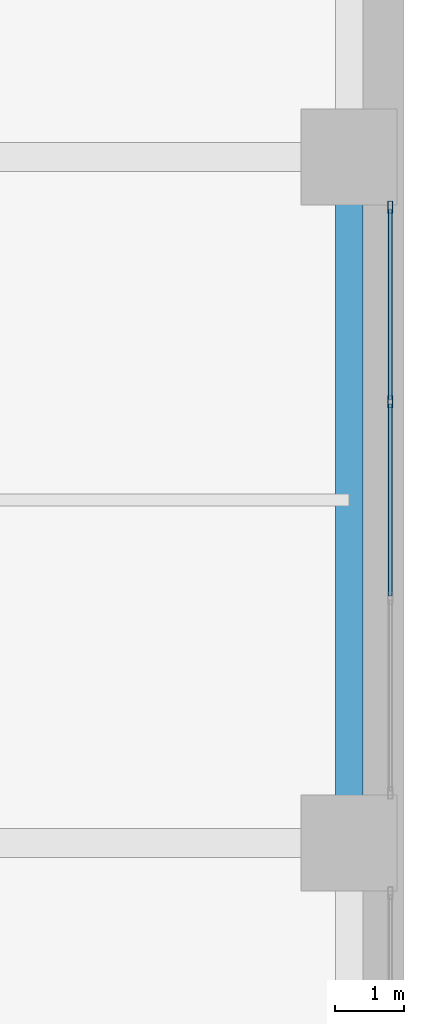
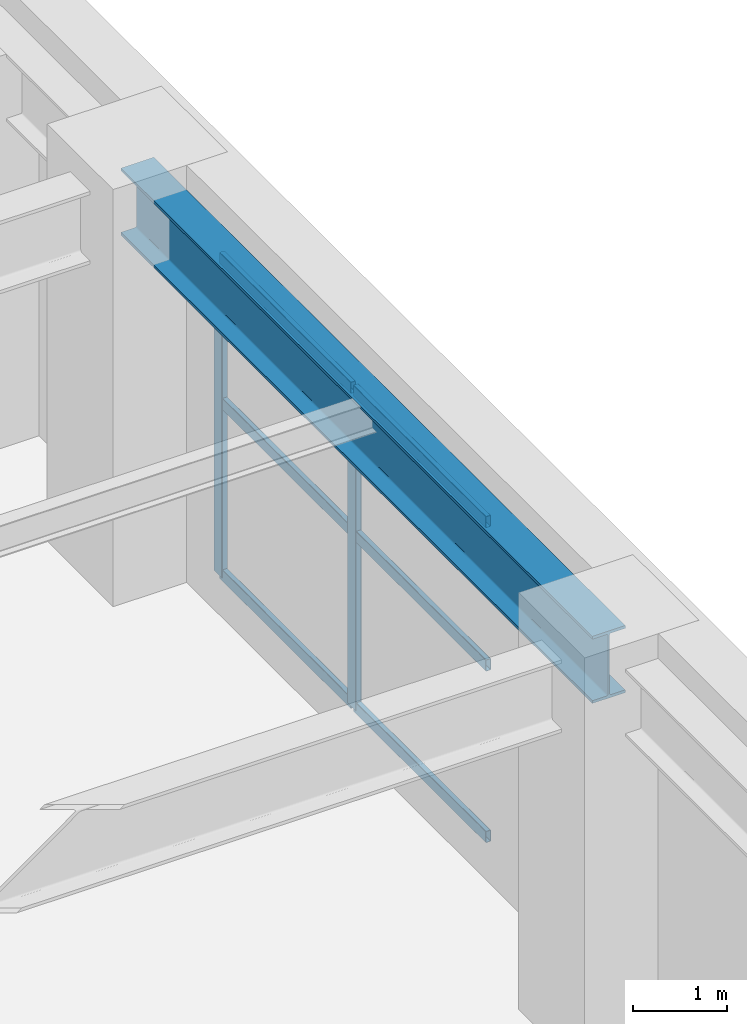
# One storey, part 13 of 25: 8 members, 1 beam, 1 element without a shape of its own.
"""IFC4 building model written with IfcOpenShell, lengths in metres."""

from ifc_helpers import new_model, si_unit, direction, frame, origin, origin_2d, place, context, subcontext, project, spatial, hollow_rectangle, i_section, extrude, material, layer, layer_set, material_profile, profile_set, type_object, element, aggregate, save


model = new_model("IFC4")

# Units and contexts
model_context = context("Model", 3, precision=1e-05, world=origin(), true_north=direction((0.0, 1.0)))
body_context = subcontext(model_context, "Body", "Model", "MODEL_VIEW")
ifc_project = project(units=[si_unit("LENGTHUNIT", "METRE"), si_unit("AREAUNIT", "SQUARE_METRE"), si_unit("VOLUMEUNIT", "CUBIC_METRE"), si_unit("PLANEANGLEUNIT", "RADIAN"), si_unit("MASSUNIT", "GRAM", prefix="KILO")], contexts=[model_context])

# Site, building, storey
site_placement = place(None, origin())
site = spatial("IfcSite", under=ifc_project, at=site_placement, CompositionType="ELEMENT")
building_placement = place(site_placement, origin())
building = spatial("IfcBuilding", under=site, at=building_placement, Name="Soratama Intermodal Tower", CompositionType="ELEMENT")
storey_placement = place(building_placement, frame((0.0, 0.0, -5.39990234375)))
storey = spatial("IfcBuildingStorey", under=building, at=storey_placement, Name="B1", CompositionType="ELEMENT", Elevation=-5.39990234375)

# Beam
ifc_material_1 = material(Name="Structural steel ASTM A992 Grade 50", Category="steel")
ifc_material_profile_1 = material_profile(ifc_material_1, i_section(OverallWidth=0.403076171875, OverallDepth=0.867919921875, WebThickness=0.02099609375, FlangeThickness=0.03564453125, FilletRadius=0.01806640625, at=origin_2d()), Name="W33X241")
ifc_profile_set_1 = profile_set([ifc_material_profile_1], Name="Structural steel ASTM A992 Grade 50")
beam_type = type_object("IfcBeamType", Name="BM-POD-EXT-W33", PredefinedType="BEAM", material=ifc_profile_set_1)
beam_placement = place(storey_placement, frame((83.199951171875, 25.0, 4.64599609375), z_axis=(0.0, 1.0, 0.0), x_axis=(-1.0, 0.0, 0.0)))
element("IfcBeam", 1, at=beam_placement, inside=storey, type_object=beam_type, Name="B1 Station Girder Y4-3", PredefinedType="BEAM", context=body_context, shape_type="SweptSolid", body=[
    extrude(i_section(OverallWidth=0.403076171875, OverallDepth=0.867919921875, WebThickness=0.02099609375, FlangeThickness=0.03564453125, FilletRadius=0.01806640625, at=origin_2d()), origin(), (0.0, 0.0, 1.0), 10.0),
])

# Curtain wall, members
ifc_material_2 = material(Name="Double-glazed aluminium curtain wall", Category="aluminium")
ifc_layer = layer(ifc_material_2, 0.159912109375)
ifc_layer_set = layer_set([ifc_layer], Name="Double-glazed aluminium curtain wall")
curtain_wall_type = type_object("IfcCurtainWallType", Name="CW-SYS-1", PredefinedType="NOTDEFINED", material=ifc_layer_set)
curtain_wall_placement = place(storey_placement, origin())
curtain_wall = element("IfcCurtainWall", 2, at=curtain_wall_placement, inside=storey, type_object=curtain_wall_type, Name="B1 Station Curtain Wall E2", PredefinedType="NOTDEFINED")
ifc_material_3 = material(Name="Anodised aluminium AA 6063-T6", Category="aluminium")
ifc_material_profile_2 = material_profile(ifc_material_3, hollow_rectangle(XDim=0.074951171875, YDim=0.179931640625, WallThickness=0.006103515625, InnerFilletRadius=0.006103515625, OuterFilletRadius=0.011962890625, at=origin_2d()), Name="CWM180X75X6")
ifc_profile_set_2 = profile_set([ifc_material_profile_2], Name="Anodised aluminium AA 6063-T6")
member_type_1 = type_object("IfcMemberType", Name="MT-CWM-1", PredefinedType="MULLION", material=ifc_profile_set_2)
member_1_placement = place(storey_placement, frame((83.800048828125, 31.433349609375, 0.0), z_axis=(0.0, 0.0, 1.0), x_axis=(-1.0, 0.0, 0.0)))
member_1 = element("IfcMember", 3, at=member_1_placement, type_object=member_type_1, Name="CW-1 mullion 3", PredefinedType="MULLION", context=body_context, shape_type="SweptSolid", body=[
    extrude(hollow_rectangle(XDim=0.074951171875, YDim=0.179931640625, WallThickness=0.006103515625, InnerFilletRadius=0.006103515625, OuterFilletRadius=0.011962890625, at=origin_2d()), origin(), (0.0, 0.0, 1.0), 4.135986328125),
])
member_2_placement = place(storey_placement, frame((83.800048828125, 34.27001953125, 0.0), z_axis=(0.0, 0.0, 1.0), x_axis=(-1.0, 0.0, 0.0)))
member_2 = element("IfcMember", 4, at=member_2_placement, type_object=member_type_1, Name="CW-1 mullion 4", PredefinedType="MULLION", context=body_context, shape_type="SweptSolid", body=[
    extrude(hollow_rectangle(XDim=0.074951171875, YDim=0.179931640625, WallThickness=0.006103515625, InnerFilletRadius=0.006103515625, OuterFilletRadius=0.011962890625, at=origin_2d()), origin(), (0.0, 0.0, 1.0), 4.135986328125),
])
ifc_material_4 = material(Name="Anodised aluminium AA 6063-T6", Category="aluminium")
ifc_material_profile_3 = material_profile(ifc_material_4, hollow_rectangle(XDim=0.06494140625, YDim=0.14990234375, WallThickness=0.0048828125, InnerFilletRadius=0.0048828125, OuterFilletRadius=0.010009765625, at=origin_2d()), Name="CWT150X65X5")
ifc_profile_set_3 = profile_set([ifc_material_profile_3], Name="Anodised aluminium AA 6063-T6")
member_type_2 = type_object("IfcMemberType", Name="TT-CWT-1", PredefinedType="USERDEFINED", material=ifc_profile_set_3)
member_3_placement = place(storey_placement, frame((83.800048828125, 28.5966796875, 0.02978515625), z_axis=(0.0, 1.0, 0.0), x_axis=(-1.0, 0.0, 0.0)))
member_3 = element("IfcMember", 5, at=member_3_placement, type_object=member_type_2, Name="CW-1 transom 2.1", ObjectType="TRANSOM", PredefinedType="USERDEFINED", context=body_context, shape_type="SweptSolid", body=[
    extrude(hollow_rectangle(XDim=0.06494140625, YDim=0.14990234375, WallThickness=0.0048828125, InnerFilletRadius=0.0048828125, OuterFilletRadius=0.010009765625, at=origin_2d()), origin(), (0.0, 0.0, 1.0), 2.806640625),
])
member_4_placement = place(storey_placement, frame((83.800048828125, 28.5966796875, 2.25), z_axis=(0.0, 1.0, 0.0), x_axis=(-1.0, 0.0, 0.0)))
member_4 = element("IfcMember", 6, at=member_4_placement, type_object=member_type_2, Name="CW-1 transom 2.2", ObjectType="TRANSOM", PredefinedType="USERDEFINED", context=body_context, shape_type="SweptSolid", body=[
    extrude(hollow_rectangle(XDim=0.06494140625, YDim=0.14990234375, WallThickness=0.0048828125, InnerFilletRadius=0.0048828125, OuterFilletRadius=0.010009765625, at=origin_2d()), origin(), (0.0, 0.0, 1.0), 2.806640625),
])
member_5_placement = place(storey_placement, frame((83.800048828125, 28.5966796875, 4.10595703125), z_axis=(0.0, 1.0, 0.0), x_axis=(-1.0, 0.0, 0.0)))
member_5 = element("IfcMember", 7, at=member_5_placement, type_object=member_type_2, Name="CW-1 transom 2.3", ObjectType="TRANSOM", PredefinedType="USERDEFINED", context=body_context, shape_type="SweptSolid", body=[
    extrude(hollow_rectangle(XDim=0.06494140625, YDim=0.14990234375, WallThickness=0.0048828125, InnerFilletRadius=0.0048828125, OuterFilletRadius=0.010009765625, at=origin_2d()), origin(), (0.0, 0.0, 1.0), 2.806640625),
])
member_6_placement = place(storey_placement, frame((83.800048828125, 31.46337890625, 0.02978515625), z_axis=(0.0, 1.0, 0.0), x_axis=(-1.0, 0.0, 0.0)))
member_6 = element("IfcMember", 8, at=member_6_placement, type_object=member_type_2, Name="CW-1 transom 3.1", ObjectType="TRANSOM", PredefinedType="USERDEFINED", context=body_context, shape_type="SweptSolid", body=[
    extrude(hollow_rectangle(XDim=0.06494140625, YDim=0.14990234375, WallThickness=0.0048828125, InnerFilletRadius=0.0048828125, OuterFilletRadius=0.010009765625, at=origin_2d()), origin(), (0.0, 0.0, 1.0), 2.776611328125),
])
member_7_placement = place(storey_placement, frame((83.800048828125, 31.46337890625, 2.25), z_axis=(0.0, 1.0, 0.0), x_axis=(-1.0, 0.0, 0.0)))
member_7 = element("IfcMember", 9, at=member_7_placement, type_object=member_type_2, Name="CW-1 transom 3.2", ObjectType="TRANSOM", PredefinedType="USERDEFINED", context=body_context, shape_type="SweptSolid", body=[
    extrude(hollow_rectangle(XDim=0.06494140625, YDim=0.14990234375, WallThickness=0.0048828125, InnerFilletRadius=0.0048828125, OuterFilletRadius=0.010009765625, at=origin_2d()), origin(), (0.0, 0.0, 1.0), 2.776611328125),
])
member_8_placement = place(storey_placement, frame((83.800048828125, 31.46337890625, 4.10595703125), z_axis=(0.0, 1.0, 0.0), x_axis=(-1.0, 0.0, 0.0)))
member_8 = element("IfcMember", 10, at=member_8_placement, type_object=member_type_2, Name="CW-1 transom 3.3", ObjectType="TRANSOM", PredefinedType="USERDEFINED", context=body_context, shape_type="SweptSolid", body=[
    extrude(hollow_rectangle(XDim=0.06494140625, YDim=0.14990234375, WallThickness=0.0048828125, InnerFilletRadius=0.0048828125, OuterFilletRadius=0.010009765625, at=origin_2d()), origin(), (0.0, 0.0, 1.0), 2.776611328125),
])
aggregate(curtain_wall, [member_1, member_2, member_3, member_4, member_5, member_6, member_7, member_8])

save(model, "model.ifc")
